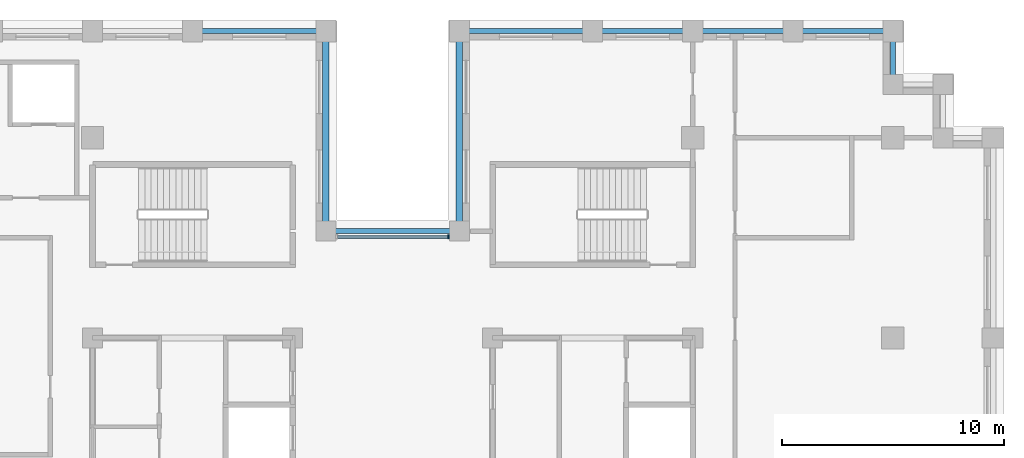
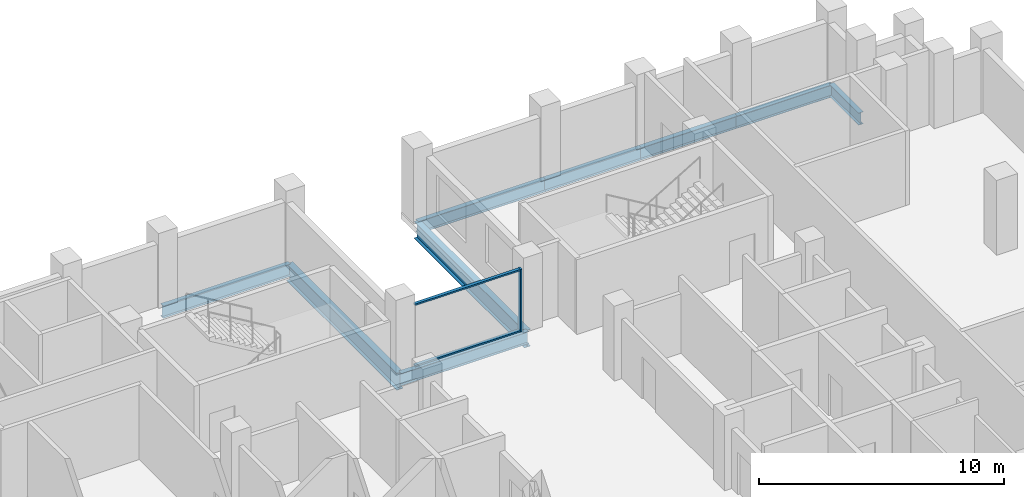
# One storey, part 4 of 15: 9 beams, 3 members, 1 element without a shape of its own.
"""IFC4 building model written with IfcOpenShell, lengths in metres."""

import ifcopenshell
import ifcopenshell.guid

model = None  # the IFC model being written
_history = None  # IfcOwnerHistory: only IFC2X3 demands one
_inside = {}  # id of a spatial element -> (the spatial element, [elements in it])
_under = {}  # id of a project, library or spatial element -> (it, [spatial elements below it])
_declared = {}  # id of a project -> (the project, [libraries it declares])
_typed = {}  # id of a type object -> (the type object, [elements of that type])
_made_of = {}  # id of a material, layer set ... -> (it, [elements and type objects made of it])


def new_model(schema):
    """Start an empty IFC model of exactly this schema.

    Asked for "IFC4X3", IfcOpenShell would pick the latest addendum, in which some entities
    have other attributes; the version numbers below select the first issue.
    IFC2X3 requires an IfcOwnerHistory on every rooted entity: one is made here for all.
    """
    global model, _history
    if schema == "IFC4X3":
        model = ifcopenshell.file(schema_version=(4, 3, 0, 0))
    else:
        model = ifcopenshell.file(schema=schema)
    _inside.clear()
    _under.clear()
    _declared.clear()
    _typed.clear()
    _made_of.clear()
    _history = None
    if model.schema == "IFC2X3":
        org = make("IfcOrganization", Name="unknown")
        user = make(
            "IfcPersonAndOrganization",
            ThePerson=make("IfcPerson", FamilyName="unknown"),
            TheOrganization=org,
        )
        app = make(
            "IfcApplication",
            ApplicationDeveloper=org,
            Version="unknown",
            ApplicationFullName="unknown",
            ApplicationIdentifier="unknown",
        )
        _history = make(
            "IfcOwnerHistory",
            OwningUser=user,
            OwningApplication=app,
            ChangeAction="ADDED",
            CreationDate=0,
        )
    return model


def make(cls, **values):
    """One entity of the class cls with the attributes given. An attribute that is None is left unset."""
    return model.create_entity(
        cls, **{name: value for name, value in values.items() if value is not None}
    )


def rooted(cls, **values):
    """An entity with a GlobalId (a new one), such as an element, a storey or a relation."""
    return make(cls, GlobalId=ifcopenshell.guid.new(), OwnerHistory=_history, **values)


def si_unit(unit_type, name, prefix=None):
    """IfcSIUnit, for example si_unit("LENGTHUNIT", "METRE", prefix="MILLI")."""
    return make("IfcSIUnit", UnitType=unit_type, Prefix=prefix, Name=name)


def assignment(units):
    """IfcUnitAssignment: the units of a project."""
    return None if units is None else make("IfcUnitAssignment", Units=units)


def point(xyz):
    """IfcCartesianPoint."""
    return None if xyz is None else make("IfcCartesianPoint", Coordinates=xyz)


def direction(xyz):
    """IfcDirection."""
    return None if xyz is None else make("IfcDirection", DirectionRatios=xyz)


def frame(location, z_axis=None, x_axis=None):
    """IfcAxis2Placement3D, a coordinate frame: its origin and axes. An axis left out is left unset."""
    return make(
        "IfcAxis2Placement3D",
        Location=point(location),
        Axis=direction(z_axis),
        RefDirection=direction(x_axis),
    )


def frame_2d(location, x_axis=None):
    """IfcAxis2Placement2D, a coordinate frame in the plane: its origin and x axis."""
    return make(
        "IfcAxis2Placement2D", Location=point(location), RefDirection=direction(x_axis)
    )


def origin():
    """The frame at (0, 0, 0) with its axes left unset."""
    return frame((0.0, 0.0, 0.0))


def origin_2d():
    """The frame at (0, 0) in the plane with its x axis left unset."""
    return frame_2d((0.0, 0.0))


def place(relative_to, where):
    """IfcLocalPlacement: puts the frame where relative to a parent placement (None: the world)."""
    return make(
        "IfcLocalPlacement", PlacementRelTo=relative_to, RelativePlacement=where
    )


def context(
    kind, dimensions, precision=None, world=None, true_north=None, identifier=None
):
    """IfcGeometricRepresentationContext, for example the 3D "Model" context."""
    return make(
        "IfcGeometricRepresentationContext",
        ContextIdentifier=identifier,
        ContextType=kind,
        CoordinateSpaceDimension=dimensions,
        Precision=precision,
        WorldCoordinateSystem=world,
        TrueNorth=true_north,
    )


def subcontext(parent, identifier, kind, view, scale=None):
    """IfcGeometricRepresentationSubContext, for example "Body" below "Model"."""
    return make(
        "IfcGeometricRepresentationSubContext",
        ContextIdentifier=identifier,
        ContextType=kind,
        ParentContext=parent,
        TargetScale=scale,
        TargetView=view,
    )


def project(units=None, contexts=None):
    """IfcProject with its units and contexts."""
    return rooted(
        "IfcProject",
        Name="project",
        RepresentationContexts=contexts,
        UnitsInContext=assignment(units),
    )


def spatial(cls, under=None, at=None, **own):
    """A site, building, storey or space (cls), placed at a placement, below another one or the project."""
    s = rooted(cls, ObjectPlacement=at, **own)
    if under is not None:
        _under.setdefault(under.id(), (under, []))[1].append(s)
    return s


def profile(cls, at=None, kind="AREA", **sizes):
    """A parametric profile (cls). Its sizes go by their IFC names, for example OverallWidth=200.0."""
    return make(cls, ProfileType=kind, Position=at, **sizes)


def rectangle(**sizes):
    """IfcRectangleProfileDef."""
    return profile("IfcRectangleProfileDef", **sizes)


def i_section(**sizes):
    """IfcIShapeProfileDef."""
    return profile("IfcIShapeProfileDef", **sizes)


def extrude(swept, where, along, depth):
    """IfcExtrudedAreaSolid: the profile swept, set in the frame where, extruded along a direction by depth."""
    return make(
        "IfcExtrudedAreaSolid",
        SweptArea=swept,
        Position=where,
        ExtrudedDirection=direction(along),
        Depth=depth,
    )


def shape(context_of_items, identifier, shape_type, items):
    """IfcShapeRepresentation: the items that make up one representation, for example the "Body"."""
    return make(
        "IfcShapeRepresentation",
        ContextOfItems=context_of_items,
        RepresentationIdentifier=identifier,
        RepresentationType=shape_type,
        Items=items,
    )


def material(Name=None, Category=None):
    """IfcMaterial."""
    return make("IfcMaterial", Name=Name, Category=Category)


def layer(
    of_material, thickness, ventilated=None, Name=None, Category=None, Priority=None
):
    """IfcMaterialLayer: one layer of a wall or slab, of a material (None: an air gap)."""
    return make(
        "IfcMaterialLayer",
        Material=of_material,
        LayerThickness=thickness,
        IsVentilated=ventilated,
        Name=Name,
        Category=Category,
        Priority=Priority,
    )


def layer_set(layers, Name=None):
    """IfcMaterialLayerSet."""
    return make("IfcMaterialLayerSet", MaterialLayers=layers, LayerSetName=Name)


def material_profile(
    of_material, cross_section, Name=None, Category=None, Priority=None
):
    """IfcMaterialProfile: a cross section and its material."""
    return make(
        "IfcMaterialProfile",
        Name=Name,
        Material=of_material,
        Profile=cross_section,
        Priority=Priority,
        Category=Category,
    )


def profile_set(profiles, Name=None, composite=None):
    """IfcMaterialProfileSet."""
    return make(
        "IfcMaterialProfileSet",
        Name=Name,
        MaterialProfiles=profiles,
        CompositeProfile=composite,
    )


def made_of(thing, what):
    """Note that an element or type object is made of a material, layer set ...; save() writes the relation."""
    if what is not None:
        _made_of.setdefault(what.id(), (what, []))[1].append(thing)
    return thing


def type_object(cls, material=None, **own):
    """A type object (cls), such as IfcWallType, which elements share."""
    return made_of(rooted(cls, **own), material)


def element(
    cls,
    number,
    at=None,
    inside=None,
    cuts=None,
    type_object=None,
    material=None,
    context=None,
    identifier="Body",
    shape_type=None,
    held_by="IfcProductDefinitionShape",
    body=None,
    shapes=None,
    **own,
):
    """One element of the class cls, such as IfcWall. Its Tag is "e" and its number.

    at: its placement. inside: the storey or other place that contains it. cuts: it is an
    opening in that element (IfcRelVoidsElement). A single representation is given by context,
    identifier, shape_type and body (its items); several are given by shapes. held_by: the class
    of the entity that holds the representations. save() writes the other relations.
    """
    e = rooted(cls, Tag="e%d" % number, ObjectPlacement=at, **own)
    if body is not None:
        shapes = [shape(context, identifier, shape_type, body)]
    if shapes is not None:
        e.Representation = make(held_by, Representations=shapes)
    if inside is not None:
        _inside.setdefault(inside.id(), (inside, []))[1].append(e)
    if cuts is not None:
        rooted(
            "IfcRelVoidsElement", RelatingBuildingElement=cuts, RelatedOpeningElement=e
        )
    if type_object is not None:
        _typed.setdefault(type_object.id(), (type_object, []))[1].append(e)
    return made_of(e, material)


def aggregate(whole, parts):
    """IfcRelAggregates: a whole, such as a stair, and the parts it consists of."""
    return rooted("IfcRelAggregates", RelatingObject=whole, RelatedObjects=parts)


def save(model, path):
    """Write the relations noted so far, then the file.

    IfcRelAggregates (storeys below a building ...), IfcRelContainedInSpatialStructure (elements
    in a storey), IfcRelDefinesByType, IfcRelAssociatesMaterial and IfcRelDeclares: one each for
    every whole, place, type object, material and project.
    """
    for whole, parts in _under.values():
        aggregate(whole, parts)
    for where, things in _inside.values():
        rooted(
            "IfcRelContainedInSpatialStructure",
            RelatedElements=things,
            RelatingStructure=where,
        )
    for kind, things in _typed.values():
        rooted("IfcRelDefinesByType", RelatedObjects=things, RelatingType=kind)
    for what, things in _made_of.values():
        rooted("IfcRelAssociatesMaterial", RelatedObjects=things, RelatingMaterial=what)
    for by, libraries in _declared.values():
        rooted("IfcRelDeclares", RelatingContext=by, RelatedDefinitions=libraries)
    model.write(path)


model = new_model("IFC4")

# Units and contexts
model_context = context("Model", 3, precision=1e-05, world=origin(), true_north=direction((0.0, 1.0)))
body_context = subcontext(model_context, "Body", "Model", "MODEL_VIEW")
ifc_project = project(units=[si_unit("LENGTHUNIT", "METRE"), si_unit("AREAUNIT", "SQUARE_METRE"), si_unit("VOLUMEUNIT", "CUBIC_METRE"), si_unit("PLANEANGLEUNIT", "RADIAN"), si_unit("MASSUNIT", "GRAM", prefix="KILO")], contexts=[model_context])

# Site, building, storey
site_placement = place(None, origin())
site = spatial("IfcSite", under=ifc_project, at=site_placement, CompositionType="ELEMENT")
building_placement = place(site_placement, origin())
building = spatial("IfcBuilding", under=site, at=building_placement, Name="Corbelhall Arena Tower", CompositionType="ELEMENT")
storey_placement = place(building_placement, frame((0.0, 0.0, 212.0)))
storey = spatial("IfcBuildingStorey", under=building, at=storey_placement, Name="L44", CompositionType="ELEMENT", Elevation=212.0)

# Curtain wall, members
ifc_material_1 = material(Name="Aluminium black anodised", Category="aluminium")
ifc_layer = layer(ifc_material_1, 0.199951171875)
ifc_layer_set = layer_set([ifc_layer], Name="EV-CW1 Slot back wall")
curtain_wall_type = type_object("IfcCurtainWallType", Name="EV-CW1 Slot back wall", PredefinedType="NOTDEFINED", material=ifc_layer_set)
curtain_wall_placement = place(storey_placement, origin())
curtain_wall = element("IfcCurtainWall", 1, at=curtain_wall_placement, inside=storey, type_object=curtain_wall_type, Name="Curtain wall CW1", PredefinedType="NOTDEFINED")
ifc_material_profile_1 = material_profile(ifc_material_1, rectangle(XDim=0.199951171875, YDim=0.074951171875, at=origin_2d()))
ifc_profile_set_1 = profile_set([ifc_material_profile_1], Name="Aluminium black anodised")
member_type_1 = type_object("IfcMemberType", Name="EV-CW1-MULLION", PredefinedType="MULLION", material=ifc_profile_set_1)
member_1_placement = place(storey_placement, frame((2.512451171875, 13.550048828125, 0.0), z_axis=(0.0, 0.0, 1.0), x_axis=(0.0, -1.0, 0.0)))
member_1 = element("IfcMember", 2, at=member_1_placement, type_object=member_type_1, Name="CW1 mullion 1", PredefinedType="MULLION", context=body_context, shape_type="SweptSolid", body=[
    extrude(rectangle(XDim=0.199951171875, YDim=0.074951171875, at=origin_2d()), origin(), (0.0, 0.0, 1.0), 3.1201171875),
])
ifc_material_profile_2 = material_profile(ifc_material_1, rectangle(XDim=0.14990234375, YDim=0.074951171875, at=origin_2d()))
ifc_profile_set_2 = profile_set([ifc_material_profile_2], Name="Aluminium black anodised")
member_type_2 = type_object("IfcMemberType", Name="EV-CW1-TRANSOM", PredefinedType="USERDEFINED", material=ifc_profile_set_2)
member_2_placement = place(storey_placement, frame((2.47509765625, 13.550048828125, 0.03759765625), z_axis=(-1.0, 0.0, 0.0), x_axis=(0.0, -1.0, 0.0)))
member_2 = element("IfcMember", 3, at=member_2_placement, type_object=member_type_2, Name="CW1 transom 1.1", ObjectType="transom", PredefinedType="USERDEFINED", context=body_context, shape_type="SweptSolid", body=[
    extrude(rectangle(XDim=0.14990234375, YDim=0.074951171875, at=origin_2d()), origin(), (0.0, 0.0, 1.0), 4.9501953125),
])
member_3_placement = place(storey_placement, frame((2.47509765625, 13.550048828125, 3.08251953125), z_axis=(-1.0, 0.0, 0.0), x_axis=(0.0, -1.0, 0.0)))
member_3 = element("IfcMember", 4, at=member_3_placement, type_object=member_type_2, Name="CW1 transom 1.2", ObjectType="transom", PredefinedType="USERDEFINED", context=body_context, shape_type="SweptSolid", body=[
    extrude(rectangle(XDim=0.14990234375, YDim=0.074951171875, at=origin_2d()), origin(), (0.0, 0.0, 1.0), 4.9501953125),
])
aggregate(curtain_wall, [member_1, member_2, member_3])

# Beams
ifc_material_2 = material(Name="Steel ASTM A992 Gr50", Category="steel")
ifc_material_profile_3 = material_profile(ifc_material_2, i_section(OverallWidth=0.228271484375, OverallDepth=0.607177734375, WebThickness=0.01123046875, FlangeThickness=0.017333984375, at=origin_2d()))
ifc_profile_set_3 = profile_set([ifc_material_profile_3], Name="Steel ASTM A992 Gr50")
beam_type_1 = type_object("IfcBeamType", Name="ST-SPANDREL-W24x76", PredefinedType="SPANDREL", material=ifc_profile_set_3)
beam_1_placement = place(storey_placement, frame((3.0, 22.800048828125, -0.58349609375), z_axis=(1.0, 0.0, 0.0), x_axis=(0.0, 1.0, 0.0)))
element("IfcBeam", 5, at=beam_1_placement, inside=storey, type_object=beam_type_1, Name="Beam SP 13", PredefinedType="SPANDREL", context=body_context, shape_type="SweptSolid", body=[
    extrude(i_section(OverallWidth=0.228271484375, OverallDepth=0.607177734375, WebThickness=0.01123046875, FlangeThickness=0.017333984375, at=origin_2d()), origin(), (0.0, 0.0, 1.0), 6.0),
])
for number, where, z_axis, x_axis, name in (
    (6, (9.0, 22.800048828125, -0.58349609375), (1.0, 0.0, 0.0), (0.0, 1.0, 0.0), "Beam SP 14"),
    (7, (13.5, 22.800048828125, -0.58349609375), (1.0, 0.0, 0.0), (0.0, 1.0, 0.0), "Beam SP 15"),
    (8, (18.0, 22.800048828125, -0.58349609375), (1.0, 0.0, 0.0), (0.0, 1.0, 0.0), "Beam SP 16"),
):
    element("IfcBeam", number, at=place(storey_placement, frame(where, z_axis=z_axis, x_axis=x_axis)), inside=storey, type_object=beam_type_1, Name=name, PredefinedType="SPANDREL", context=body_context, shape_type="SweptSolid", body=[
        extrude(i_section(OverallWidth=0.228271484375, OverallDepth=0.607177734375, WebThickness=0.01123046875, FlangeThickness=0.017333984375, at=origin_2d()), origin(), (0.0, 0.0, 1.0), 4.5),
    ])
beam_2_placement = place(storey_placement, frame((22.5, 22.800048828125, -0.58349609375), z_axis=(0.0, -1.0, 0.0), x_axis=(1.0, 0.0, 0.0)))
element("IfcBeam", 9, at=beam_2_placement, inside=storey, type_object=beam_type_1, Name="Beam SP 17", PredefinedType="SPANDREL", context=body_context, shape_type="SweptSolid", body=[
    extrude(i_section(OverallWidth=0.228271484375, OverallDepth=0.607177734375, WebThickness=0.01123046875, FlangeThickness=0.017333984375, at=origin_2d()), origin(), (0.0, 0.0, 1.0), 2.400146484375),
])
for number, where, z_axis, x_axis, name in (
    (10, (-9.0, 22.800048828125, -0.58349609375), (1.0, 0.0, 0.0), (0.0, 1.0, 0.0), "Beam SP 19"),
    (11, (-3.0, 13.800048828125, -0.58349609375), (1.0, 0.0, 0.0), (0.0, 1.0, 0.0), "Beam SP 36"),
):
    element("IfcBeam", number, at=place(storey_placement, frame(where, z_axis=z_axis, x_axis=x_axis)), inside=storey, type_object=beam_type_1, Name=name, PredefinedType="SPANDREL", context=body_context, shape_type="SweptSolid", body=[
        extrude(i_section(OverallWidth=0.228271484375, OverallDepth=0.607177734375, WebThickness=0.01123046875, FlangeThickness=0.017333984375, at=origin_2d()), origin(), (0.0, 0.0, 1.0), 6.0),
    ])
ifc_material_profile_4 = material_profile(ifc_material_2, i_section(OverallWidth=0.2919921875, OverallDepth=0.845703125, WebThickness=0.015380859375, FlangeThickness=0.0244140625, at=origin_2d()))
ifc_profile_set_4 = profile_set([ifc_material_profile_4], Name="Steel ASTM A992 Gr50")
beam_type_2 = type_object("IfcBeamType", Name="ST-SPANDREL-W33x141", PredefinedType="SPANDREL", material=ifc_profile_set_4)
for number, where, z_axis, x_axis, name in (
    (12, (-3.0, 22.800048828125, -0.702880859375), (0.0, -1.0, 0.0), (1.0, 0.0, 0.0), "Beam SP 18"),
    (13, (3.0, 13.800048828125, -0.702880859375), (0.0, 1.0, 0.0), (-1.0, 0.0, 0.0), "Beam SP 35"),
):
    element("IfcBeam", number, at=place(storey_placement, frame(where, z_axis=z_axis, x_axis=x_axis)), inside=storey, type_object=beam_type_2, Name=name, PredefinedType="SPANDREL", context=body_context, shape_type="SweptSolid", body=[
        extrude(i_section(OverallWidth=0.2919921875, OverallDepth=0.845703125, WebThickness=0.015380859375, FlangeThickness=0.0244140625, at=origin_2d()), origin(), (0.0, 0.0, 1.0), 9.0),
    ])

save(model, "model.ifc")
